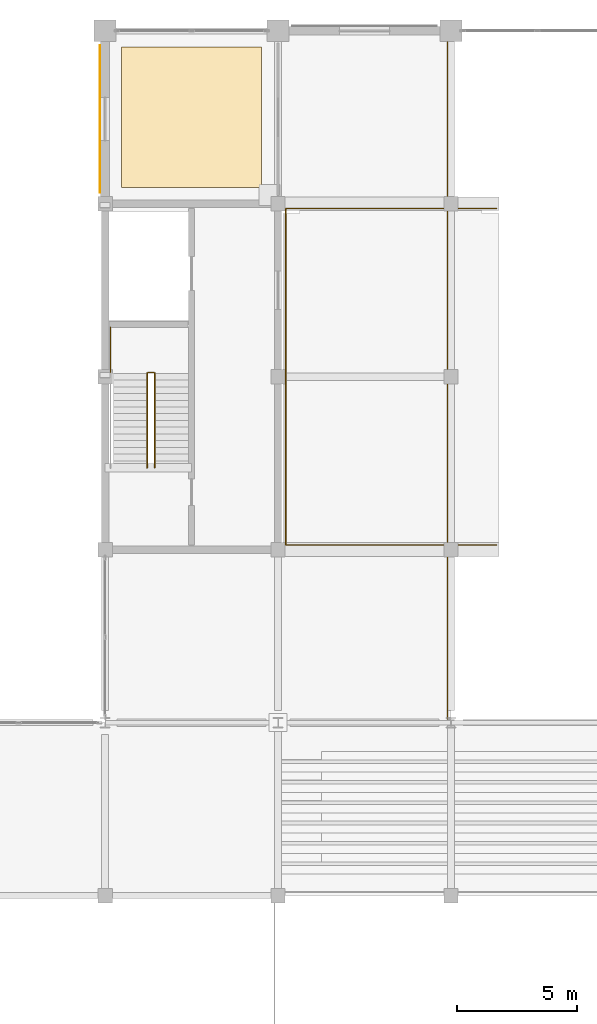
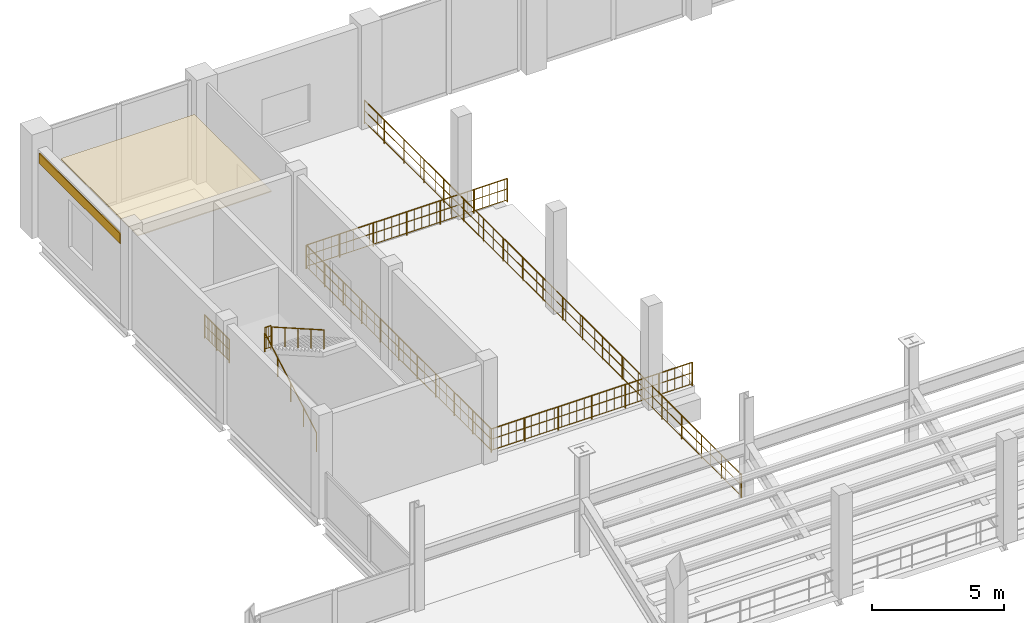
# One storey, part 114 of 120: 6 railings, 2 coverings.
"""IFC4 building model written with IfcOpenShell, lengths in metres."""

from ifc_helpers import new_model, si_unit, direction, frame, frame_2d, origin, origin_2d, place, context, subcontext, project, spatial, polyline, rectangle, circle, outline, extrude, material, layer, layer_set, type_object, element, save


model = new_model("IFC4")

# Units and contexts
model_context = context("Model", 3, precision=1e-05, world=origin(), true_north=direction((0.0, 1.0)))
body_context = subcontext(model_context, "Body", "Model", "MODEL_VIEW")
ifc_project = project(units=[si_unit("LENGTHUNIT", "METRE"), si_unit("AREAUNIT", "SQUARE_METRE"), si_unit("VOLUMEUNIT", "CUBIC_METRE"), si_unit("PLANEANGLEUNIT", "RADIAN"), si_unit("MASSUNIT", "GRAM", prefix="KILO")], contexts=[model_context])

# Site, building, storey
site_placement = place(None, origin())
site = spatial("IfcSite", under=ifc_project, at=site_placement, CompositionType="ELEMENT")
building_placement = place(site_placement, origin())
building = spatial("IfcBuilding", under=site, at=building_placement, Name="Vesperath Aquatics Centre", CompositionType="ELEMENT")
storey_placement = place(building_placement, frame((0.0, 0.0, 10.199951171875)))
storey = spatial("IfcBuildingStorey", under=building, at=storey_placement, Name="L02", CompositionType="ELEMENT", Elevation=10.199951171875)

# Coverings
ifc_material_1 = material(Name="Teal and ochre glazed ceramic majolica frieze", Category="ceramic")
ifc_layer_1 = layer(ifc_material_1, 0.0400390625)
ifc_layer_set_1 = layer_set([ifc_layer_1], Name="Teal and ochre glazed ceramic majolica frieze")
covering_type_1 = type_object("IfcCoveringType", Name="CV-CLD01", PredefinedType="CLADDING", material=ifc_layer_set_1)
covering_1_placement = place(storey_placement, frame((6.989990234375, 108.449951171875, 3.52197265625), z_axis=(0.0, 0.0, 1.0), x_axis=(0.0, 1.0, 0.0)))
element("IfcCovering", 1, at=covering_1_placement, inside=storey, type_object=covering_type_1, Name="Majolica Ceramic Frieze CLD1 L02_W_01_15", PredefinedType="CLADDING", context=body_context, shape_type="SweptSolid", body=[
    extrude(rectangle(XDim=6.150146484375, YDim=0.0400390625, at=frame_2d((3.0751953125, 0.0))), origin(), (0.0, 0.0, 1.0), 0.469970703125),
])
ifc_material_2 = material(Name="Perforated moisture-resistant acoustic mineral-fibre ceiling", Category="gypsum")
ifc_layer_2 = layer(ifc_material_2, 0.044921875)
ifc_layer_set_2 = layer_set([ifc_layer_2], Name="Perforated moisture-resistant acoustic mineral-fibre ceiling")
covering_type_2 = type_object("IfcCoveringType", Name="CV-CLG01", PredefinedType="CEILING", material=ifc_layer_set_2)
covering_2_placement = place(storey_placement, frame((0.0, 0.0, 3.425048828125)))
element("IfcCovering", 2, at=covering_2_placement, inside=storey, type_object=covering_type_2, Name="Acoustic Suspended Ceiling CLG1 L02_DIVE_VID", PredefinedType="CEILING", context=body_context, shape_type="SweptSolid", body=[
    extrude(outline(polyline([(7.8798828125, 108.679931640625), (13.719970703125, 108.679931640625), (13.719970703125, 114.52001953125), (7.8798828125, 114.52001953125), (7.8798828125, 108.679931640625)])), origin(), (0.0, 0.0, 1.0), 0.044921875),
])

# Railings
ifc_material_3 = material(Name="Powder-coated galvanized steel safety guard", Category="steel")
railing_type_1 = type_object("IfcRailingType", Name="RL-GRD01", PredefinedType="GUARDRAIL", material=ifc_material_3)
railing_1_placement = place(storey_placement, frame((8.97998046875, 100.97998046875, 2.400146484375)))
element("IfcRailing", 3, at=railing_1_placement, inside=storey, type_object=railing_type_1, Name="Stair ST3 Half-Landing Slot Guard GR02 L02", PredefinedType="GUARDRAIL", context=body_context, shape_type="SweptSolid", body=[
    extrude(circle(Radius=0.02392578125, at=origin_2d()), frame((0.0, 0.0, 1.0859375), z_axis=(1.0, 0.0, 0.0), x_axis=(0.0, 1.0, 0.0)), (0.0, 0.0, 1.0), 0.260009765625),
    extrude(circle(Radius=0.01611328125, at=origin_2d()), frame((0.0, 0.0, 0.10009765625), z_axis=(1.0, 0.0, 0.0), x_axis=(0.0, 1.0, 0.0)), (0.0, 0.0, 1.0), 0.260009765625),
    extrude(circle(Radius=0.01611328125, at=origin_2d()), frame((0.0, 0.0, 0.610595703125), z_axis=(1.0, 0.0, 0.0), x_axis=(0.0, 1.0, 0.0)), (0.0, 0.0, 1.0), 0.260009765625),
    extrude(circle(Radius=0.009033203125, at=origin_2d()), frame((0.086669921875, 0.0, 0.10009765625)), (0.0, 0.0, 1.0), 0.9619140625),
    extrude(circle(Radius=0.009033203125, at=origin_2d()), frame((0.17333984375, 0.0, 0.10009765625)), (0.0, 0.0, 1.0), 0.9619140625),
    extrude(circle(Radius=0.02197265625, at=origin_2d()), origin(), (0.0, 0.0, 1.0), 1.0859375),
    extrude(circle(Radius=0.02197265625, at=origin_2d()), frame((0.260009765625, 0.0, 0.0)), (0.0, 0.0, 1.0), 1.0859375),
])
railing_2_placement = place(storey_placement, frame((7.419921875, 100.97998046875, 2.400146484375)))
element("IfcRailing", 4, at=railing_2_placement, inside=storey, type_object=railing_type_1, Name="Stair ST3 Half-Landing Wall Guard GR02 L02", PredefinedType="GUARDRAIL", context=body_context, shape_type="SweptSolid", body=[
    extrude(circle(Radius=0.02392578125, at=origin_2d()), frame((0.0, 0.0, 1.0859375), z_axis=(0.0, 1.0, 0.0), x_axis=(-1.0, 0.0, 0.0)), (0.0, 0.0, 1.0), 1.880126953125),
    extrude(circle(Radius=0.01611328125, at=origin_2d()), frame((0.0, 0.0, 0.10009765625), z_axis=(0.0, 1.0, 0.0), x_axis=(-1.0, 0.0, 0.0)), (0.0, 0.0, 1.0), 1.880126953125),
    extrude(circle(Radius=0.01611328125, at=origin_2d()), frame((0.0, 0.0, 0.610595703125), z_axis=(0.0, 1.0, 0.0), x_axis=(-1.0, 0.0, 0.0)), (0.0, 0.0, 1.0), 1.880126953125),
    extrude(circle(Radius=0.009033203125, at=origin_2d()), frame((0.0, 0.1044921875, 0.10009765625)), (0.0, 0.0, 1.0), 0.9619140625),
    extrude(circle(Radius=0.009033203125, at=origin_2d()), frame((0.0, 0.208984375, 0.10009765625)), (0.0, 0.0, 1.0), 0.9619140625),
    extrude(circle(Radius=0.009033203125, at=origin_2d()), frame((0.0, 0.3134765625, 0.10009765625)), (0.0, 0.0, 1.0), 0.9619140625),
    extrude(circle(Radius=0.009033203125, at=origin_2d()), frame((0.0, 0.417724609375, 0.10009765625)), (0.0, 0.0, 1.0), 0.9619140625),
    extrude(circle(Radius=0.009033203125, at=origin_2d()), frame((0.0, 0.522216796875, 0.10009765625)), (0.0, 0.0, 1.0), 0.9619140625),
    extrude(circle(Radius=0.009033203125, at=origin_2d()), frame((0.0, 0.626708984375, 0.10009765625)), (0.0, 0.0, 1.0), 0.9619140625),
    extrude(circle(Radius=0.009033203125, at=origin_2d()), frame((0.0, 0.731201171875, 0.10009765625)), (0.0, 0.0, 1.0), 0.9619140625),
    extrude(circle(Radius=0.009033203125, at=origin_2d()), frame((0.0, 0.835693359375, 0.10009765625)), (0.0, 0.0, 1.0), 0.9619140625),
    extrude(circle(Radius=0.009033203125, at=origin_2d()), frame((0.0, 0.93994140625, 0.10009765625)), (0.0, 0.0, 1.0), 0.9619140625),
    extrude(circle(Radius=0.009033203125, at=origin_2d()), frame((0.0, 1.04443359375, 0.10009765625)), (0.0, 0.0, 1.0), 0.9619140625),
    extrude(circle(Radius=0.009033203125, at=origin_2d()), frame((0.0, 1.14892578125, 0.10009765625)), (0.0, 0.0, 1.0), 0.9619140625),
    extrude(circle(Radius=0.009033203125, at=origin_2d()), frame((0.0, 1.25341796875, 0.10009765625)), (0.0, 0.0, 1.0), 0.9619140625),
    extrude(circle(Radius=0.009033203125, at=origin_2d()), frame((0.0, 1.35791015625, 0.10009765625)), (0.0, 0.0, 1.0), 0.9619140625),
    extrude(circle(Radius=0.009033203125, at=origin_2d()), frame((0.0, 1.46240234375, 0.10009765625)), (0.0, 0.0, 1.0), 0.9619140625),
    extrude(circle(Radius=0.009033203125, at=origin_2d()), frame((0.0, 1.56689453125, 0.10009765625)), (0.0, 0.0, 1.0), 0.9619140625),
    extrude(circle(Radius=0.009033203125, at=origin_2d()), frame((0.0, 1.671142578125, 0.10009765625)), (0.0, 0.0, 1.0), 0.9619140625),
    extrude(circle(Radius=0.009033203125, at=origin_2d()), frame((0.0, 1.775634765625, 0.10009765625)), (0.0, 0.0, 1.0), 0.9619140625),
    extrude(circle(Radius=0.02197265625, at=origin_2d()), origin(), (0.0, 0.0, 1.0), 1.0859375),
    extrude(circle(Radius=0.02197265625, at=origin_2d()), frame((0.0, 0.93994140625, 0.0)), (0.0, 0.0, 1.0), 1.0859375),
    extrude(circle(Radius=0.02197265625, at=origin_2d()), frame((0.0, 1.880126953125, 0.0)), (0.0, 0.0, 1.0), 1.0859375),
])
railing_3_placement = place(storey_placement, frame((21.449951171875, 86.550048828125, 0.0)))
element("IfcRailing", 5, at=railing_3_placement, inside=storey, type_object=railing_type_1, Name="Safety Guardrail GR02 GRD_L02_DIVE_G", PredefinedType="GUARDRAIL", context=body_context, shape_type="SweptSolid", body=[
    extrude(circle(Radius=0.02392578125, at=origin_2d()), frame((0.0, 0.0, 1.0859375), z_axis=(0.0, 1.0, 0.0), x_axis=(-1.0, 0.0, 0.0)), (0.0, 0.0, 1.0), 28.5),
    extrude(circle(Radius=0.01611328125, at=origin_2d()), frame((0.0, 0.0, 0.10009765625), z_axis=(0.0, 1.0, 0.0), x_axis=(-1.0, 0.0, 0.0)), (0.0, 0.0, 1.0), 28.5),
    extrude(circle(Radius=0.01611328125, at=origin_2d()), frame((0.0, 0.0, 0.610595703125), z_axis=(0.0, 1.0, 0.0), x_axis=(-1.0, 0.0, 0.0)), (0.0, 0.0, 1.0), 28.5),
    extrude(circle(Radius=0.009033203125, at=origin_2d()), frame((0.0, 0.109619140625, 0.10009765625)), (0.0, 0.0, 1.0), 0.9619140625),
    extrude(circle(Radius=0.009033203125, at=origin_2d()), frame((0.0, 1.205810546875, 0.10009765625)), (0.0, 0.0, 1.0), 0.9619140625),
    extrude(circle(Radius=0.009033203125, at=origin_2d()), frame((0.0, 2.302001953125, 0.10009765625)), (0.0, 0.0, 1.0), 0.9619140625),
    extrude(circle(Radius=0.009033203125, at=origin_2d()), frame((0.0, 3.398193359375, 0.10009765625)), (0.0, 0.0, 1.0), 0.9619140625),
    extrude(circle(Radius=0.009033203125, at=origin_2d()), frame((0.0, 4.494140625, 0.10009765625)), (0.0, 0.0, 1.0), 0.9619140625),
    extrude(circle(Radius=0.009033203125, at=origin_2d()), frame((0.0, 5.59033203125, 0.10009765625)), (0.0, 0.0, 1.0), 0.9619140625),
    extrude(circle(Radius=0.009033203125, at=origin_2d()), frame((0.0, 6.6865234375, 0.10009765625)), (0.0, 0.0, 1.0), 0.9619140625),
    extrude(circle(Radius=0.009033203125, at=origin_2d()), frame((0.0, 7.78271484375, 0.10009765625)), (0.0, 0.0, 1.0), 0.9619140625),
    extrude(circle(Radius=0.009033203125, at=origin_2d()), frame((0.0, 8.87890625, 0.10009765625)), (0.0, 0.0, 1.0), 0.9619140625),
    extrude(circle(Radius=0.009033203125, at=origin_2d()), frame((0.0, 9.97509765625, 0.10009765625)), (0.0, 0.0, 1.0), 0.9619140625),
    extrude(circle(Radius=0.009033203125, at=origin_2d()), frame((0.0, 11.071044921875, 0.10009765625)), (0.0, 0.0, 1.0), 0.9619140625),
    extrude(circle(Radius=0.009033203125, at=origin_2d()), frame((0.0, 12.167236328125, 0.10009765625)), (0.0, 0.0, 1.0), 0.9619140625),
    extrude(circle(Radius=0.009033203125, at=origin_2d()), frame((0.0, 13.263427734375, 0.10009765625)), (0.0, 0.0, 1.0), 0.9619140625),
    extrude(circle(Radius=0.009033203125, at=origin_2d()), frame((0.0, 14.359619140625, 0.10009765625)), (0.0, 0.0, 1.0), 0.9619140625),
    extrude(circle(Radius=0.009033203125, at=origin_2d()), frame((0.0, 15.455810546875, 0.10009765625)), (0.0, 0.0, 1.0), 0.9619140625),
    extrude(circle(Radius=0.009033203125, at=origin_2d()), frame((0.0, 16.552001953125, 0.10009765625)), (0.0, 0.0, 1.0), 0.9619140625),
    extrude(circle(Radius=0.009033203125, at=origin_2d()), frame((0.0, 17.648193359375, 0.10009765625)), (0.0, 0.0, 1.0), 0.9619140625),
    extrude(circle(Radius=0.009033203125, at=origin_2d()), frame((0.0, 18.744140625, 0.10009765625)), (0.0, 0.0, 1.0), 0.9619140625),
    extrude(circle(Radius=0.009033203125, at=origin_2d()), frame((0.0, 19.84033203125, 0.10009765625)), (0.0, 0.0, 1.0), 0.9619140625),
    extrude(circle(Radius=0.009033203125, at=origin_2d()), frame((0.0, 20.9365234375, 0.10009765625)), (0.0, 0.0, 1.0), 0.9619140625),
    extrude(circle(Radius=0.009033203125, at=origin_2d()), frame((0.0, 22.03271484375, 0.10009765625)), (0.0, 0.0, 1.0), 0.9619140625),
    extrude(circle(Radius=0.009033203125, at=origin_2d()), frame((0.0, 23.12890625, 0.10009765625)), (0.0, 0.0, 1.0), 0.9619140625),
    extrude(circle(Radius=0.009033203125, at=origin_2d()), frame((0.0, 24.22509765625, 0.10009765625)), (0.0, 0.0, 1.0), 0.9619140625),
    extrude(circle(Radius=0.009033203125, at=origin_2d()), frame((0.0, 25.321044921875, 0.10009765625)), (0.0, 0.0, 1.0), 0.9619140625),
    extrude(circle(Radius=0.009033203125, at=origin_2d()), frame((0.0, 26.417236328125, 0.10009765625)), (0.0, 0.0, 1.0), 0.9619140625),
    extrude(circle(Radius=0.009033203125, at=origin_2d()), frame((0.0, 27.513427734375, 0.10009765625)), (0.0, 0.0, 1.0), 0.9619140625),
    extrude(circle(Radius=0.02197265625, at=origin_2d()), origin(), (0.0, 0.0, 1.0), 1.0859375),
    extrude(circle(Radius=0.02197265625, at=origin_2d()), frame((0.0, 1.5, 0.0)), (0.0, 0.0, 1.0), 1.0859375),
    extrude(circle(Radius=0.02197265625, at=origin_2d()), frame((0.0, 3.0, 0.0)), (0.0, 0.0, 1.0), 1.0859375),
    extrude(circle(Radius=0.02197265625, at=origin_2d()), frame((0.0, 4.5, 0.0)), (0.0, 0.0, 1.0), 1.0859375),
    extrude(circle(Radius=0.02197265625, at=origin_2d()), frame((0.0, 6.0, 0.0)), (0.0, 0.0, 1.0), 1.0859375),
    extrude(circle(Radius=0.02197265625, at=origin_2d()), frame((0.0, 7.5, 0.0)), (0.0, 0.0, 1.0), 1.0859375),
    extrude(circle(Radius=0.02197265625, at=origin_2d()), frame((0.0, 9.0, 0.0)), (0.0, 0.0, 1.0), 1.0859375),
    extrude(circle(Radius=0.02197265625, at=origin_2d()), frame((0.0, 10.5, 0.0)), (0.0, 0.0, 1.0), 1.0859375),
    extrude(circle(Radius=0.02197265625, at=origin_2d()), frame((0.0, 12.0, 0.0)), (0.0, 0.0, 1.0), 1.0859375),
    extrude(circle(Radius=0.02197265625, at=origin_2d()), frame((0.0, 13.5, 0.0)), (0.0, 0.0, 1.0), 1.0859375),
    extrude(circle(Radius=0.02197265625, at=origin_2d()), frame((0.0, 15.0, 0.0)), (0.0, 0.0, 1.0), 1.0859375),
    extrude(circle(Radius=0.02197265625, at=origin_2d()), frame((0.0, 16.5, 0.0)), (0.0, 0.0, 1.0), 1.0859375),
    extrude(circle(Radius=0.02197265625, at=origin_2d()), frame((0.0, 18.0, 0.0)), (0.0, 0.0, 1.0), 1.0859375),
    extrude(circle(Radius=0.02197265625, at=origin_2d()), frame((0.0, 19.5, 0.0)), (0.0, 0.0, 1.0), 1.0859375),
    extrude(circle(Radius=0.02197265625, at=origin_2d()), frame((0.0, 21.0, 0.0)), (0.0, 0.0, 1.0), 1.0859375),
    extrude(circle(Radius=0.02197265625, at=origin_2d()), frame((0.0, 22.5, 0.0)), (0.0, 0.0, 1.0), 1.0859375),
    extrude(circle(Radius=0.02197265625, at=origin_2d()), frame((0.0, 24.0, 0.0)), (0.0, 0.0, 1.0), 1.0859375),
    extrude(circle(Radius=0.02197265625, at=origin_2d()), frame((0.0, 25.5, 0.0)), (0.0, 0.0, 1.0), 1.0859375),
    extrude(circle(Radius=0.02197265625, at=origin_2d()), frame((0.0, 27.0, 0.0)), (0.0, 0.0, 1.0), 1.0859375),
    extrude(circle(Radius=0.02197265625, at=origin_2d()), frame((0.0, 28.5, 0.0)), (0.0, 0.0, 1.0), 1.0859375),
])
railing_4_placement = place(storey_placement, frame((23.5, 93.800048828125, 0.06494140625)))
element("IfcRailing", 6, at=railing_4_placement, inside=storey, type_object=railing_type_1, Name="Safety Guardrail GR02 GRD_DP_10M", PredefinedType="GUARDRAIL", context=body_context, shape_type="SweptSolid", body=[
    extrude(circle(Radius=0.02392578125, at=origin_2d()), frame((0.0, 0.0, 1.0859375), z_axis=(-1.0, 0.0, 0.0), x_axis=(0.0, -1.0, 0.0)), (0.0, 0.0, 1.0), 8.780029296875),
    extrude(circle(Radius=0.01611328125, at=origin_2d()), frame((0.0, 0.0, 0.10009765625), z_axis=(-1.0, 0.0, 0.0), x_axis=(0.0, -1.0, 0.0)), (0.0, 0.0, 1.0), 8.780029296875),
    extrude(circle(Radius=0.01611328125, at=origin_2d()), frame((0.0, 0.0, 0.610595703125), z_axis=(-1.0, 0.0, 0.0), x_axis=(0.0, -1.0, 0.0)), (0.0, 0.0, 1.0), 8.780029296875),
    extrude(circle(Radius=0.009033203125, at=origin_2d()), frame((-0.10986328125, 0.0, 0.10009765625)), (0.0, 0.0, 1.0), 0.9619140625),
    extrude(circle(Radius=0.009033203125, at=origin_2d()), frame((-0.43896484375, 0.0, 0.10009765625)), (0.0, 0.0, 1.0), 0.9619140625),
    extrude(circle(Radius=0.009033203125, at=origin_2d()), frame((-0.768310546875, 0.0, 0.10009765625)), (0.0, 0.0, 1.0), 0.9619140625),
    extrude(circle(Radius=0.009033203125, at=origin_2d()), frame((-1.097412109375, 0.0, 0.10009765625)), (0.0, 0.0, 1.0), 0.9619140625),
    extrude(circle(Radius=0.009033203125, at=origin_2d()), frame((-1.4267578125, 0.0, 0.10009765625)), (0.0, 0.0, 1.0), 0.9619140625),
    extrude(circle(Radius=0.009033203125, at=origin_2d()), frame((-1.756103515625, 0.0, 0.10009765625)), (0.0, 0.0, 1.0), 0.9619140625),
    extrude(circle(Radius=0.009033203125, at=origin_2d()), frame((-2.085205078125, 0.0, 0.10009765625)), (0.0, 0.0, 1.0), 0.9619140625),
    extrude(circle(Radius=0.009033203125, at=origin_2d()), frame((-2.41455078125, 0.0, 0.10009765625)), (0.0, 0.0, 1.0), 0.9619140625),
    extrude(circle(Radius=0.009033203125, at=origin_2d()), frame((-2.74365234375, 0.0, 0.10009765625)), (0.0, 0.0, 1.0), 0.9619140625),
    extrude(circle(Radius=0.009033203125, at=origin_2d()), frame((-3.072998046875, 0.0, 0.10009765625)), (0.0, 0.0, 1.0), 0.9619140625),
    extrude(circle(Radius=0.009033203125, at=origin_2d()), frame((-3.40234375, 0.0, 0.10009765625)), (0.0, 0.0, 1.0), 0.9619140625),
    extrude(circle(Radius=0.009033203125, at=origin_2d()), frame((-3.7314453125, 0.0, 0.10009765625)), (0.0, 0.0, 1.0), 0.9619140625),
    extrude(circle(Radius=0.009033203125, at=origin_2d()), frame((-4.060791015625, 0.0, 0.10009765625)), (0.0, 0.0, 1.0), 0.9619140625),
    extrude(circle(Radius=0.009033203125, at=origin_2d()), frame((-4.39013671875, 0.0, 0.10009765625)), (0.0, 0.0, 1.0), 0.9619140625),
    extrude(circle(Radius=0.009033203125, at=origin_2d()), frame((-4.71923828125, 0.0, 0.10009765625)), (0.0, 0.0, 1.0), 0.9619140625),
    extrude(circle(Radius=0.009033203125, at=origin_2d()), frame((-5.048583984375, 0.0, 0.10009765625)), (0.0, 0.0, 1.0), 0.9619140625),
    extrude(circle(Radius=0.009033203125, at=origin_2d()), frame((-5.377685546875, 0.0, 0.10009765625)), (0.0, 0.0, 1.0), 0.9619140625),
    extrude(circle(Radius=0.009033203125, at=origin_2d()), frame((-5.70703125, 0.0, 0.10009765625)), (0.0, 0.0, 1.0), 0.9619140625),
    extrude(circle(Radius=0.009033203125, at=origin_2d()), frame((-6.036376953125, 0.0, 0.10009765625)), (0.0, 0.0, 1.0), 0.9619140625),
    extrude(circle(Radius=0.009033203125, at=origin_2d()), frame((-6.365478515625, 0.0, 0.10009765625)), (0.0, 0.0, 1.0), 0.9619140625),
    extrude(circle(Radius=0.009033203125, at=origin_2d()), frame((-6.69482421875, 0.0, 0.10009765625)), (0.0, 0.0, 1.0), 0.9619140625),
    extrude(circle(Radius=0.009033203125, at=origin_2d()), frame((-7.02392578125, 0.0, 0.10009765625)), (0.0, 0.0, 1.0), 0.9619140625),
    extrude(circle(Radius=0.009033203125, at=origin_2d()), frame((-7.353271484375, 0.0, 0.10009765625)), (0.0, 0.0, 1.0), 0.9619140625),
    extrude(circle(Radius=0.009033203125, at=origin_2d()), frame((-7.6826171875, 0.0, 0.10009765625)), (0.0, 0.0, 1.0), 0.9619140625),
    extrude(circle(Radius=0.009033203125, at=origin_2d()), frame((-8.01171875, 0.0, 0.10009765625)), (0.0, 0.0, 1.0), 0.9619140625),
    extrude(circle(Radius=0.009033203125, at=origin_2d()), frame((-8.341064453125, 0.0, 0.10009765625)), (0.0, 0.0, 1.0), 0.9619140625),
    extrude(circle(Radius=0.009033203125, at=origin_2d()), frame((-8.670166015625, 0.0, 0.10009765625)), (0.0, 0.0, 1.0), 0.9619140625),
    extrude(circle(Radius=0.02392578125, at=origin_2d()), frame((-8.780029296875, 0.0, 1.0859375), z_axis=(0.0, 1.0, 0.0), x_axis=(-1.0, 0.0, 0.0)), (0.0, 0.0, 1.0), 14.0),
    extrude(circle(Radius=0.01611328125, at=origin_2d()), frame((-8.780029296875, 0.0, 0.10009765625), z_axis=(0.0, 1.0, 0.0), x_axis=(-1.0, 0.0, 0.0)), (0.0, 0.0, 1.0), 14.0),
    extrude(circle(Radius=0.01611328125, at=origin_2d()), frame((-8.780029296875, 0.0, 0.610595703125), z_axis=(0.0, 1.0, 0.0), x_axis=(-1.0, 0.0, 0.0)), (0.0, 0.0, 1.0), 14.0),
    extrude(circle(Radius=0.009033203125, at=origin_2d()), frame((-8.780029296875, 0.109375, 0.10009765625)), (0.0, 0.0, 1.0), 0.9619140625),
    extrude(circle(Radius=0.009033203125, at=origin_2d()), frame((-8.780029296875, 0.65625, 0.10009765625)), (0.0, 0.0, 1.0), 0.9619140625),
    extrude(circle(Radius=0.009033203125, at=origin_2d()), frame((-8.780029296875, 1.203125, 0.10009765625)), (0.0, 0.0, 1.0), 0.9619140625),
    extrude(circle(Radius=0.009033203125, at=origin_2d()), frame((-8.780029296875, 1.75, 0.10009765625)), (0.0, 0.0, 1.0), 0.9619140625),
    extrude(circle(Radius=0.009033203125, at=origin_2d()), frame((-8.780029296875, 2.296875, 0.10009765625)), (0.0, 0.0, 1.0), 0.9619140625),
    extrude(circle(Radius=0.009033203125, at=origin_2d()), frame((-8.780029296875, 2.84375, 0.10009765625)), (0.0, 0.0, 1.0), 0.9619140625),
    extrude(circle(Radius=0.009033203125, at=origin_2d()), frame((-8.780029296875, 3.390625, 0.10009765625)), (0.0, 0.0, 1.0), 0.9619140625),
    extrude(circle(Radius=0.009033203125, at=origin_2d()), frame((-8.780029296875, 3.9375, 0.10009765625)), (0.0, 0.0, 1.0), 0.9619140625),
    extrude(circle(Radius=0.009033203125, at=origin_2d()), frame((-8.780029296875, 4.484375, 0.10009765625)), (0.0, 0.0, 1.0), 0.9619140625),
    extrude(circle(Radius=0.009033203125, at=origin_2d()), frame((-8.780029296875, 5.03125, 0.10009765625)), (0.0, 0.0, 1.0), 0.9619140625),
    extrude(circle(Radius=0.009033203125, at=origin_2d()), frame((-8.780029296875, 5.578125, 0.10009765625)), (0.0, 0.0, 1.0), 0.9619140625),
    extrude(circle(Radius=0.009033203125, at=origin_2d()), frame((-8.780029296875, 6.125, 0.10009765625)), (0.0, 0.0, 1.0), 0.9619140625),
    extrude(circle(Radius=0.009033203125, at=origin_2d()), frame((-8.780029296875, 6.671875, 0.10009765625)), (0.0, 0.0, 1.0), 0.9619140625),
    extrude(circle(Radius=0.009033203125, at=origin_2d()), frame((-8.780029296875, 7.21875, 0.10009765625)), (0.0, 0.0, 1.0), 0.9619140625),
    extrude(circle(Radius=0.009033203125, at=origin_2d()), frame((-8.780029296875, 7.765625, 0.10009765625)), (0.0, 0.0, 1.0), 0.9619140625),
    extrude(circle(Radius=0.009033203125, at=origin_2d()), frame((-8.780029296875, 8.3125, 0.10009765625)), (0.0, 0.0, 1.0), 0.9619140625),
    extrude(circle(Radius=0.009033203125, at=origin_2d()), frame((-8.780029296875, 8.859375, 0.10009765625)), (0.0, 0.0, 1.0), 0.9619140625),
    extrude(circle(Radius=0.009033203125, at=origin_2d()), frame((-8.780029296875, 9.40625, 0.10009765625)), (0.0, 0.0, 1.0), 0.9619140625),
    extrude(circle(Radius=0.009033203125, at=origin_2d()), frame((-8.780029296875, 9.953125, 0.10009765625)), (0.0, 0.0, 1.0), 0.9619140625),
    extrude(circle(Radius=0.009033203125, at=origin_2d()), frame((-8.780029296875, 10.5, 0.10009765625)), (0.0, 0.0, 1.0), 0.9619140625),
    extrude(circle(Radius=0.009033203125, at=origin_2d()), frame((-8.780029296875, 11.046875, 0.10009765625)), (0.0, 0.0, 1.0), 0.9619140625),
    extrude(circle(Radius=0.009033203125, at=origin_2d()), frame((-8.780029296875, 11.59375, 0.10009765625)), (0.0, 0.0, 1.0), 0.9619140625),
    extrude(circle(Radius=0.009033203125, at=origin_2d()), frame((-8.780029296875, 12.140625, 0.10009765625)), (0.0, 0.0, 1.0), 0.9619140625),
    extrude(circle(Radius=0.009033203125, at=origin_2d()), frame((-8.780029296875, 12.6875, 0.10009765625)), (0.0, 0.0, 1.0), 0.9619140625),
    extrude(circle(Radius=0.009033203125, at=origin_2d()), frame((-8.780029296875, 13.234375, 0.10009765625)), (0.0, 0.0, 1.0), 0.9619140625),
    extrude(circle(Radius=0.009033203125, at=origin_2d()), frame((-8.780029296875, 13.78125, 0.10009765625)), (0.0, 0.0, 1.0), 0.9619140625),
    extrude(circle(Radius=0.02392578125, at=origin_2d()), frame((-8.780029296875, 14.0, 1.0859375), z_axis=(1.0, 0.0, 0.0), x_axis=(0.0, 1.0, 0.0)), (0.0, 0.0, 1.0), 8.780029296875),
    extrude(circle(Radius=0.01611328125, at=origin_2d()), frame((-8.780029296875, 14.0, 0.10009765625), z_axis=(1.0, 0.0, 0.0), x_axis=(0.0, 1.0, 0.0)), (0.0, 0.0, 1.0), 8.780029296875),
    extrude(circle(Radius=0.01611328125, at=origin_2d()), frame((-8.780029296875, 14.0, 0.610595703125), z_axis=(1.0, 0.0, 0.0), x_axis=(0.0, 1.0, 0.0)), (0.0, 0.0, 1.0), 8.780029296875),
    extrude(circle(Radius=0.009033203125, at=origin_2d()), frame((-8.670166015625, 14.0, 0.10009765625)), (0.0, 0.0, 1.0), 0.9619140625),
    extrude(circle(Radius=0.009033203125, at=origin_2d()), frame((-8.341064453125, 14.0, 0.10009765625)), (0.0, 0.0, 1.0), 0.9619140625),
    extrude(circle(Radius=0.009033203125, at=origin_2d()), frame((-8.01171875, 14.0, 0.10009765625)), (0.0, 0.0, 1.0), 0.9619140625),
    extrude(circle(Radius=0.009033203125, at=origin_2d()), frame((-7.6826171875, 14.0, 0.10009765625)), (0.0, 0.0, 1.0), 0.9619140625),
    extrude(circle(Radius=0.009033203125, at=origin_2d()), frame((-7.353271484375, 14.0, 0.10009765625)), (0.0, 0.0, 1.0), 0.9619140625),
    extrude(circle(Radius=0.009033203125, at=origin_2d()), frame((-7.02392578125, 14.0, 0.10009765625)), (0.0, 0.0, 1.0), 0.9619140625),
    extrude(circle(Radius=0.009033203125, at=origin_2d()), frame((-6.69482421875, 14.0, 0.10009765625)), (0.0, 0.0, 1.0), 0.9619140625),
    extrude(circle(Radius=0.009033203125, at=origin_2d()), frame((-6.365478515625, 14.0, 0.10009765625)), (0.0, 0.0, 1.0), 0.9619140625),
    extrude(circle(Radius=0.009033203125, at=origin_2d()), frame((-6.036376953125, 14.0, 0.10009765625)), (0.0, 0.0, 1.0), 0.9619140625),
    extrude(circle(Radius=0.009033203125, at=origin_2d()), frame((-5.70703125, 14.0, 0.10009765625)), (0.0, 0.0, 1.0), 0.9619140625),
    extrude(circle(Radius=0.009033203125, at=origin_2d()), frame((-5.377685546875, 14.0, 0.10009765625)), (0.0, 0.0, 1.0), 0.9619140625),
    extrude(circle(Radius=0.009033203125, at=origin_2d()), frame((-5.048583984375, 14.0, 0.10009765625)), (0.0, 0.0, 1.0), 0.9619140625),
    extrude(circle(Radius=0.009033203125, at=origin_2d()), frame((-4.71923828125, 14.0, 0.10009765625)), (0.0, 0.0, 1.0), 0.9619140625),
    extrude(circle(Radius=0.009033203125, at=origin_2d()), frame((-4.39013671875, 14.0, 0.10009765625)), (0.0, 0.0, 1.0), 0.9619140625),
    extrude(circle(Radius=0.009033203125, at=origin_2d()), frame((-4.060791015625, 14.0, 0.10009765625)), (0.0, 0.0, 1.0), 0.9619140625),
    extrude(circle(Radius=0.009033203125, at=origin_2d()), frame((-3.7314453125, 14.0, 0.10009765625)), (0.0, 0.0, 1.0), 0.9619140625),
    extrude(circle(Radius=0.009033203125, at=origin_2d()), frame((-3.40234375, 14.0, 0.10009765625)), (0.0, 0.0, 1.0), 0.9619140625),
    extrude(circle(Radius=0.009033203125, at=origin_2d()), frame((-3.072998046875, 14.0, 0.10009765625)), (0.0, 0.0, 1.0), 0.9619140625),
    extrude(circle(Radius=0.009033203125, at=origin_2d()), frame((-2.74365234375, 14.0, 0.10009765625)), (0.0, 0.0, 1.0), 0.9619140625),
    extrude(circle(Radius=0.009033203125, at=origin_2d()), frame((-2.41455078125, 14.0, 0.10009765625)), (0.0, 0.0, 1.0), 0.9619140625),
    extrude(circle(Radius=0.009033203125, at=origin_2d()), frame((-2.085205078125, 14.0, 0.10009765625)), (0.0, 0.0, 1.0), 0.9619140625),
    extrude(circle(Radius=0.009033203125, at=origin_2d()), frame((-1.756103515625, 14.0, 0.10009765625)), (0.0, 0.0, 1.0), 0.9619140625),
    extrude(circle(Radius=0.009033203125, at=origin_2d()), frame((-1.4267578125, 14.0, 0.10009765625)), (0.0, 0.0, 1.0), 0.9619140625),
    extrude(circle(Radius=0.009033203125, at=origin_2d()), frame((-1.097412109375, 14.0, 0.10009765625)), (0.0, 0.0, 1.0), 0.9619140625),
    extrude(circle(Radius=0.009033203125, at=origin_2d()), frame((-0.768310546875, 14.0, 0.10009765625)), (0.0, 0.0, 1.0), 0.9619140625),
    extrude(circle(Radius=0.009033203125, at=origin_2d()), frame((-0.43896484375, 14.0, 0.10009765625)), (0.0, 0.0, 1.0), 0.9619140625),
    extrude(circle(Radius=0.009033203125, at=origin_2d()), frame((-0.10986328125, 14.0, 0.10009765625)), (0.0, 0.0, 1.0), 0.9619140625),
    extrude(circle(Radius=0.02197265625, at=origin_2d()), origin(), (0.0, 0.0, 1.0), 1.0859375),
    extrude(circle(Radius=0.02197265625, at=origin_2d()), frame((-1.46337890625, 0.0, 0.0)), (0.0, 0.0, 1.0), 1.0859375),
    extrude(circle(Radius=0.02197265625, at=origin_2d()), frame((-2.9267578125, 0.0, 0.0)), (0.0, 0.0, 1.0), 1.0859375),
    extrude(circle(Radius=0.02197265625, at=origin_2d()), frame((-4.39013671875, 0.0, 0.0)), (0.0, 0.0, 1.0), 1.0859375),
    extrude(circle(Radius=0.02197265625, at=origin_2d()), frame((-5.853271484375, 0.0, 0.0)), (0.0, 0.0, 1.0), 1.0859375),
    extrude(circle(Radius=0.02197265625, at=origin_2d()), frame((-7.316650390625, 0.0, 0.0)), (0.0, 0.0, 1.0), 1.0859375),
    extrude(circle(Radius=0.02197265625, at=origin_2d()), frame((-8.780029296875, 0.0, 0.0)), (0.0, 0.0, 1.0), 1.0859375),
    extrude(circle(Radius=0.02197265625, at=origin_2d()), frame((-8.780029296875, 1.39990234375, 0.0)), (0.0, 0.0, 1.0), 1.0859375),
    extrude(circle(Radius=0.02197265625, at=origin_2d()), frame((-8.780029296875, 2.800048828125, 0.0)), (0.0, 0.0, 1.0), 1.0859375),
    extrude(circle(Radius=0.02197265625, at=origin_2d()), frame((-8.780029296875, 4.199951171875, 0.0)), (0.0, 0.0, 1.0), 1.0859375),
    extrude(circle(Radius=0.02197265625, at=origin_2d()), frame((-8.780029296875, 5.60009765625, 0.0)), (0.0, 0.0, 1.0), 1.0859375),
    extrude(circle(Radius=0.02197265625, at=origin_2d()), frame((-8.780029296875, 7.0, 0.0)), (0.0, 0.0, 1.0), 1.0859375),
    extrude(circle(Radius=0.02197265625, at=origin_2d()), frame((-8.780029296875, 8.39990234375, 0.0)), (0.0, 0.0, 1.0), 1.0859375),
    extrude(circle(Radius=0.02197265625, at=origin_2d()), frame((-8.780029296875, 9.800048828125, 0.0)), (0.0, 0.0, 1.0), 1.0859375),
    extrude(circle(Radius=0.02197265625, at=origin_2d()), frame((-8.780029296875, 11.199951171875, 0.0)), (0.0, 0.0, 1.0), 1.0859375),
    extrude(circle(Radius=0.02197265625, at=origin_2d()), frame((-8.780029296875, 12.60009765625, 0.0)), (0.0, 0.0, 1.0), 1.0859375),
    extrude(circle(Radius=0.02197265625, at=origin_2d()), frame((-8.780029296875, 14.0, 0.0)), (0.0, 0.0, 1.0), 1.0859375),
    extrude(circle(Radius=0.02197265625, at=origin_2d()), frame((-7.316650390625, 14.0, 0.0)), (0.0, 0.0, 1.0), 1.0859375),
    extrude(circle(Radius=0.02197265625, at=origin_2d()), frame((-5.853271484375, 14.0, 0.0)), (0.0, 0.0, 1.0), 1.0859375),
    extrude(circle(Radius=0.02197265625, at=origin_2d()), frame((-4.39013671875, 14.0, 0.0)), (0.0, 0.0, 1.0), 1.0859375),
    extrude(circle(Radius=0.02197265625, at=origin_2d()), frame((-2.9267578125, 14.0, 0.0)), (0.0, 0.0, 1.0), 1.0859375),
    extrude(circle(Radius=0.02197265625, at=origin_2d()), frame((-1.46337890625, 14.0, 0.0)), (0.0, 0.0, 1.0), 1.0859375),
    extrude(circle(Radius=0.02197265625, at=origin_2d()), frame((0.0, 14.0, 0.0)), (0.0, 0.0, 1.0), 1.0859375),
])
ifc_material_4 = material(Name="Brushed stainless steel tubular handrail", Category="steel")
railing_type_2 = type_object("IfcRailingType", Name="RL-HND01", PredefinedType="HANDRAIL", material=ifc_material_4)
railing_5_placement = place(storey_placement, frame((8.949951171875, 97.02001953125, 0.16015625)))
element("IfcRailing", 7, at=railing_5_placement, inside=storey, type_object=railing_type_2, Name="Stair ST3 Flight 1 Handrail HR01 L02", PredefinedType="HANDRAIL", context=body_context, shape_type="SweptSolid", body=[
    extrude(circle(Radius=0.02392578125, at=origin_2d()), frame((0.0, 0.0, 0.8759765625), z_axis=(0.0, 0.868239814368, 0.496144761885), x_axis=(-1.0, 0.0, 0.0)), (0.0, 0.0, 1.0), 4.514892578125),
    extrude(circle(Radius=0.02197265625, at=origin_2d()), origin(), (0.0, 0.0, 1.0), 0.8759765625),
    extrude(circle(Radius=0.02197265625, at=origin_2d()), frame((0.0, 0.97998046875, 0.56005859375)), (0.0, 0.0, 1.0), 0.8759765625),
    extrude(circle(Radius=0.02197265625, at=origin_2d()), frame((0.0, 1.9599609375, 1.1201171875)), (0.0, 0.0, 1.0), 0.8759765625),
    extrude(circle(Radius=0.02197265625, at=origin_2d()), frame((0.0, 2.93994140625, 1.679931640625)), (0.0, 0.0, 1.0), 0.8759765625),
    extrude(circle(Radius=0.02197265625, at=origin_2d()), frame((0.0, 3.919921875, 2.239990234375)), (0.0, 0.0, 1.0), 0.8759765625),
])
railing_6_placement = place(storey_placement, frame((9.27001953125, 100.93994140625, 2.56005859375)))
element("IfcRailing", 8, at=railing_6_placement, inside=storey, type_object=railing_type_2, Name="Stair ST3 Flight 2 Handrail HR01 L02", PredefinedType="HANDRAIL", context=body_context, shape_type="SweptSolid", body=[
    extrude(circle(Radius=0.02392578125, at=origin_2d()), frame((0.0, 0.0, 0.8759765625), z_axis=(0.0, -0.868239814368, 0.496144761885), x_axis=(1.0, 0.0, 0.0)), (0.0, 0.0, 1.0), 4.514892578125),
    extrude(circle(Radius=0.02197265625, at=origin_2d()), origin(), (0.0, 0.0, 1.0), 0.8759765625),
    extrude(circle(Radius=0.02197265625, at=origin_2d()), frame((0.0, -0.97998046875, 0.56005859375)), (0.0, 0.0, 1.0), 0.8759765625),
    extrude(circle(Radius=0.02197265625, at=origin_2d()), frame((0.0, -1.9599609375, 1.1201171875)), (0.0, 0.0, 1.0), 0.8759765625),
    extrude(circle(Radius=0.02197265625, at=origin_2d()), frame((0.0, -2.93994140625, 1.679931640625)), (0.0, 0.0, 1.0), 0.8759765625),
    extrude(circle(Radius=0.02197265625, at=origin_2d()), frame((0.0, -3.919921875, 2.239990234375)), (0.0, 0.0, 1.0), 0.8759765625),
])

save(model, "model.ifc")
